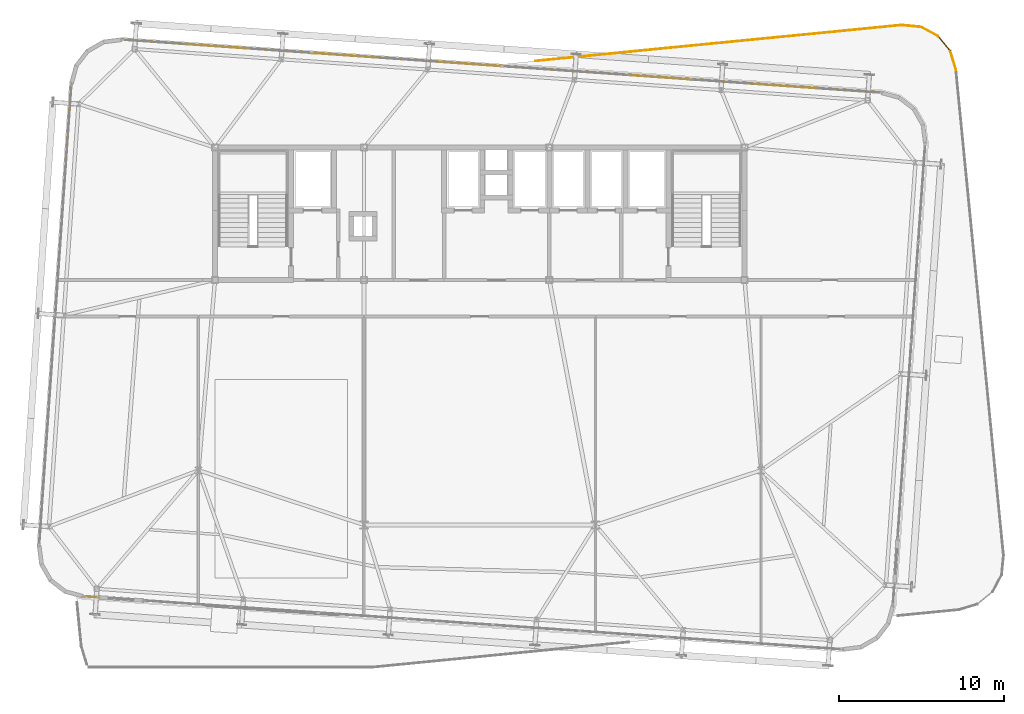
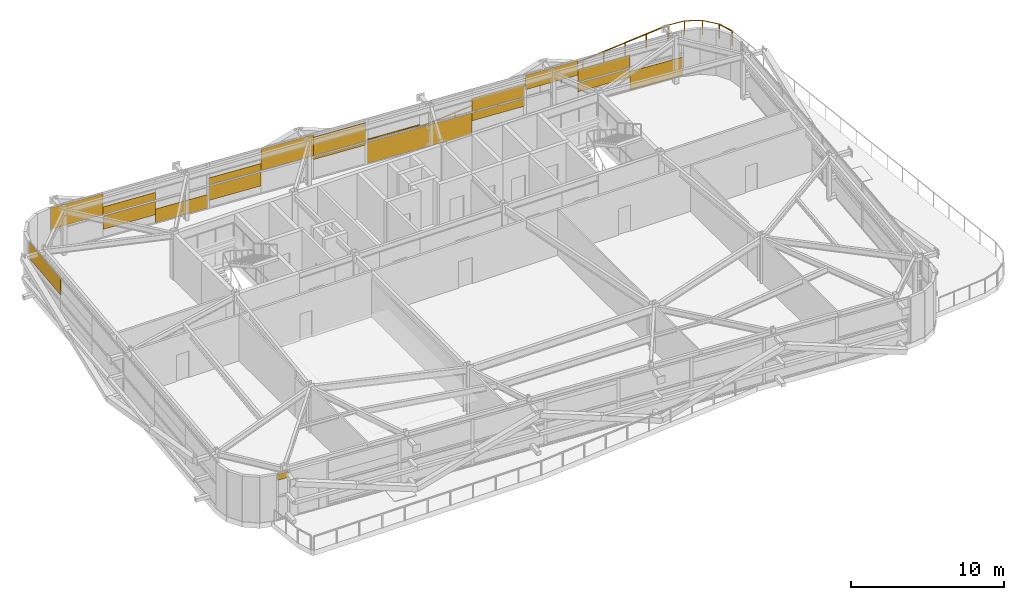
# One storey, part 36 of 36: 19 coverings, 5 railings.
"""IFC4 building model written with IfcOpenShell, lengths in metres."""

from ifc_helpers import new_model, si_unit, direction, frame, origin, origin_2d, place, context, subcontext, project, spatial, rectangle, extrude, source, transform, mapped, material, layer, layer_set, type_object, element, save


model = new_model("IFC4")

# Units and contexts
model_context = context("Model", 3, precision=1e-05, world=origin(), true_north=direction((0.0, 1.0)))
body_context = subcontext(model_context, "Body", "Model", "MODEL_VIEW")
ifc_project = project(units=[si_unit("LENGTHUNIT", "METRE"), si_unit("AREAUNIT", "SQUARE_METRE"), si_unit("VOLUMEUNIT", "CUBIC_METRE"), si_unit("PLANEANGLEUNIT", "RADIAN"), si_unit("MASSUNIT", "GRAM", prefix="KILO")], contexts=[model_context])

# Site, building, storey
site_placement = place(None, origin())
site = spatial("IfcSite", under=ifc_project, at=site_placement, CompositionType="ELEMENT")
building_placement = place(site_placement, origin())
building = spatial("IfcBuilding", under=site, at=building_placement, Name="Taldren Reach Tower", CompositionType="ELEMENT")
storey_placement = place(building_placement, frame((0.0, 0.0, 116.550048828125)))
storey = spatial("IfcBuildingStorey", under=building, at=storey_placement, Name="L35", CompositionType="ELEMENT", Elevation=116.550048828125)

# Railings
ifc_material_1 = material(Name="Laminated Glass and Pale-Anodised Aluminium Balustrade", Category="aluminium")
ifc_layer_1 = layer(ifc_material_1, 0.070068359375)
ifc_layer_set_1 = layer_set([ifc_layer_1], Name="Laminated Glass and Pale-Anodised Aluminium Balustrade")
railing_type = type_object("IfcRailingType", Name="RL-TERR-1150", PredefinedType="GUARDRAIL", material=ifc_layer_set_1)
railing_1_placement = place(storey_placement, frame((61.663330078125, 39.28955078125, 0.0)))
element("IfcRailing", 1, at=railing_1_placement, inside=storey, type_object=railing_type, Name="Outdoor terrace guardrail TERR-L35-1-01", PredefinedType="GUARDRAIL", context=body_context, shape_type="SweptSolid", body=[
    extrude(rectangle(XDim=0.047852, YDim=0.047852, at=origin_2d()), frame((0.0, 0.0, 1.1259765625), z_axis=(0.881740262419, -0.471735211351, 0.0), x_axis=(0.471735211351, 0.881740262419, 0.0)), (0.0, 0.0, 1.0), 1.170654296875),
    extrude(rectangle(XDim=0.041992, YDim=0.041992, at=origin_2d()), origin(), (0.0, 0.0, 1.0), 1.101806640625),
    extrude(rectangle(XDim=0.041992, YDim=0.041992, at=origin_2d()), frame((1.0322265625, -0.55224609375, 0.0)), (0.0, 0.0, 1.0), 1.101806640625),
])
railing_2_placement = place(storey_placement, frame((62.695556640625, 38.7373046875, 0.0)))
element("IfcRailing", 2, at=railing_2_placement, inside=storey, type_object=railing_type, Name="Outdoor terrace guardrail TERR-L35-1-02", PredefinedType="GUARDRAIL", context=body_context, shape_type="SweptSolid", body=[
    extrude(rectangle(XDim=0.047852, YDim=0.047852, at=origin_2d()), frame((0.0, 0.0, 1.1259765625), z_axis=(0.634112016054, -0.773241198524, 0.0), x_axis=(0.773241198524, 0.634112016054, 0.0)), (0.0, 0.0, 1.0), 1.17041015625),
    extrude(rectangle(XDim=0.041992, YDim=0.041992, at=origin_2d()), origin(), (0.0, 0.0, 1.0), 1.101806640625),
    extrude(rectangle(XDim=0.041992, YDim=0.041992, at=origin_2d()), frame((0.7421875, -0.905029296875, 0.0)), (0.0, 0.0, 1.0), 1.101806640625),
])
railing_3_placement = place(storey_placement, frame((63.437744140625, 37.832275390625, 0.0)))
element("IfcRailing", 3, at=railing_3_placement, inside=storey, type_object=railing_type, Name="Outdoor terrace guardrail TERR-L35-1-03", PredefinedType="GUARDRAIL", context=body_context, shape_type="SweptSolid", body=[
    extrude(rectangle(XDim=0.047852, YDim=0.047852, at=origin_2d()), frame((0.0, 0.0, 1.1259765625), z_axis=(0.289891626648, -0.957059478193, 0.0), x_axis=(0.957059478193, 0.289891626648, 0.0)), (0.0, 0.0, 1.0), 1.170654296875),
    extrude(rectangle(XDim=0.041992, YDim=0.041992, at=origin_2d()), origin(), (0.0, 0.0, 1.0), 1.101806640625),
    extrude(rectangle(XDim=0.041992, YDim=0.041992, at=origin_2d()), frame((0.33935546875, -1.120361328125, 0.0)), (0.0, 0.0, 1.0), 1.101806640625),
])
railing_4_placement = place(storey_placement, frame((38.3818359375, 37.236328125, 0.0)))
element("IfcRailing", 4, at=railing_4_placement, inside=storey, type_object=railing_type, Name="Outdoor terrace guardrail TERR-L35-1-10", PredefinedType="GUARDRAIL", context=body_context, shape_type="SweptSolid", body=[
    extrude(rectangle(XDim=0.047852, YDim=0.047852, at=origin_2d()), frame((0.0, 0.0, 1.1259765625), z_axis=(0.995227959052, 0.097577197751, 0.0), x_axis=(-0.097577197751, 0.995227959052, 0.0)), (0.0, 0.0, 1.0), 22.1728515625),
    extrude(rectangle(XDim=0.041992, YDim=0.041992, at=origin_2d()), origin(), (0.0, 0.0, 1.0), 1.101806640625),
    extrude(rectangle(XDim=0.041992, YDim=0.041992, at=origin_2d()), frame((1.697509765625, 0.16650390625, 0.0)), (0.0, 0.0, 1.0), 1.101806640625),
    extrude(rectangle(XDim=0.041992, YDim=0.041992, at=origin_2d()), frame((3.39501953125, 0.332763671875, 0.0)), (0.0, 0.0, 1.0), 1.101806640625),
    extrude(rectangle(XDim=0.041992, YDim=0.041992, at=origin_2d()), frame((5.092529296875, 0.499267578125, 0.0)), (0.0, 0.0, 1.0), 1.101806640625),
    extrude(rectangle(XDim=0.041992, YDim=0.041992, at=origin_2d()), frame((6.789794921875, 0.665771484375, 0.0)), (0.0, 0.0, 1.0), 1.101806640625),
    extrude(rectangle(XDim=0.041992, YDim=0.041992, at=origin_2d()), frame((8.4873046875, 0.83203125, 0.0)), (0.0, 0.0, 1.0), 1.101806640625),
    extrude(rectangle(XDim=0.041992, YDim=0.041992, at=origin_2d()), frame((10.184814453125, 0.99853515625, 0.0)), (0.0, 0.0, 1.0), 1.101806640625),
    extrude(rectangle(XDim=0.041992, YDim=0.041992, at=origin_2d()), frame((11.88232421875, 1.1650390625, 0.0)), (0.0, 0.0, 1.0), 1.101806640625),
    extrude(rectangle(XDim=0.041992, YDim=0.041992, at=origin_2d()), frame((13.579833984375, 1.33154296875, 0.0)), (0.0, 0.0, 1.0), 1.101806640625),
    extrude(rectangle(XDim=0.041992, YDim=0.041992, at=origin_2d()), frame((15.27734375, 1.497802734375, 0.0)), (0.0, 0.0, 1.0), 1.101806640625),
    extrude(rectangle(XDim=0.041992, YDim=0.041992, at=origin_2d()), frame((16.974609375, 1.664306640625, 0.0)), (0.0, 0.0, 1.0), 1.101806640625),
    extrude(rectangle(XDim=0.041992, YDim=0.041992, at=origin_2d()), frame((18.672119140625, 1.830810546875, 0.0)), (0.0, 0.0, 1.0), 1.101806640625),
    extrude(rectangle(XDim=0.041992, YDim=0.041992, at=origin_2d()), frame((20.36962890625, 1.9970703125, 0.0)), (0.0, 0.0, 1.0), 1.101806640625),
    extrude(rectangle(XDim=0.041992, YDim=0.041992, at=origin_2d()), frame((22.067138671875, 2.16357421875, 0.0)), (0.0, 0.0, 1.0), 1.101806640625),
])
railing_5_placement = place(storey_placement, frame((60.547607421875, 39.39990234375, 0.0)))
element("IfcRailing", 5, at=railing_5_placement, inside=storey, type_object=railing_type, Name="Outdoor terrace guardrail TERR-L35-1-11", PredefinedType="GUARDRAIL", context=body_context, shape_type="SweptSolid", body=[
    extrude(rectangle(XDim=0.047852, YDim=0.047852, at=origin_2d()), frame((0.0, 0.0, 1.1259765625), z_axis=(0.995144406215, -0.098425661184, 0.0), x_axis=(0.098425661184, 0.995144406215, 0.0)), (0.0, 0.0, 1.0), 1.12109375),
    extrude(rectangle(XDim=0.041992, YDim=0.041992, at=origin_2d()), origin(), (0.0, 0.0, 1.0), 1.101806640625),
    extrude(rectangle(XDim=0.041992, YDim=0.041992, at=origin_2d()), frame((1.11572265625, -0.1103515625, 0.0)), (0.0, 0.0, 1.0), 1.101806640625),
])

# Coverings
ifc_material_2 = material(Name="Pale Champagne Fluoropolymer Aluminium Spandrel Cladding", Category="aluminium")
ifc_layer_2 = layer(ifc_material_2, 0.0439453125)
ifc_layer_set_2 = layer_set([ifc_layer_2], Name="Pale Champagne Fluoropolymer Aluminium Spandrel Cladding")
covering_type = type_object("IfcCoveringType", Name="CV-CLAD-044", PredefinedType="CLADDING", material=ifc_layer_set_2)
shared_shape_1 = source(origin(), body_context, "Body", "SweptSolid", [
    extrude(rectangle(XDim=0.800048828125, YDim=0.0439453125, at=origin_2d()), origin(), (0.0, 0.0, 1.0), 0.46875),
])
covering_1_placement = place(storey_placement, frame((11.503662109375, 4.852294921875, 3.10107421875), z_axis=(0.0, 0.0, 1.0), x_axis=(0.997563972646, -0.069757583664, 0.0)))
element("IfcCovering", 6, at=covering_1_placement, inside=storey, type_object=covering_type, Name="Diagrid closure cladding strip CW-7 panel 1.1 1", PredefinedType="CLADDING", context=body_context, shape_type="MappedRepresentation", body=[
    mapped(shared_shape_1, transform((0.0, 0.0, 0.0), scale=1.0)),
])
shared_shape_2 = source(origin(), body_context, "Body", "SweptSolid", [
    extrude(rectangle(XDim=3.7958984375, YDim=0.0439453125, at=origin_2d()), origin(), (0.0, 0.0, 1.0), 1.46484375),
])
covering_2_placement = place(storey_placement, frame((57.302001953125, 35.4521484375, 0.059814453125), z_axis=(0.0, 0.0, 1.0), x_axis=(-0.99756404731, 0.06975651593, 0.0)))
element("IfcCovering", 7, at=covering_2_placement, inside=storey, type_object=covering_type, Name="Diagrid closure cladding strip CW-7 panel 1.1 1", PredefinedType="CLADDING", context=body_context, shape_type="MappedRepresentation", body=[
    mapped(shared_shape_2, transform((0.0, 0.0, 0.0), scale=1.0)),
])
shared_shape_3 = source(origin(), body_context, "Body", "SweptSolid", [
    extrude(rectangle(XDim=3.7958984375, YDim=0.0439453125, at=origin_2d()), origin(), (0.0, 0.0, 1.0), 0.675048828125),
])
covering_3_placement = place(storey_placement, frame((53.515380859375, 35.717041015625, 1.080078125), z_axis=(0.0, 0.0, 1.0), x_axis=(-0.99756404731, 0.06975651593, 0.0)))
element("IfcCovering", 8, at=covering_3_placement, inside=storey, type_object=covering_type, Name="Diagrid closure cladding strip CW-7 panel 1.1 2", PredefinedType="CLADDING", context=body_context, shape_type="MappedRepresentation", body=[
    mapped(shared_shape_3, transform((0.0, 0.0, 0.0), scale=1.0)),
])
shared_shape_4 = source(origin(), body_context, "Body", "SweptSolid", [
    extrude(rectangle(XDim=3.808349609375, YDim=0.0439453125, at=origin_2d()), origin(), (0.0, 0.0, 1.0), 0.62451171875),
])
covering_4_placement = place(storey_placement, frame((45.861083984375, 36.252197265625, 1.13037109375), z_axis=(0.0, 0.0, 1.0), x_axis=(-0.99756404731, 0.06975651593, 0.0)))
element("IfcCovering", 9, at=covering_4_placement, inside=storey, type_object=covering_type, Name="Diagrid closure cladding strip CW-7 panel 2.1 1", PredefinedType="CLADDING", context=body_context, shape_type="MappedRepresentation", body=[
    mapped(shared_shape_4, transform((0.0, 0.0, 0.0), scale=1.0)),
])
shared_shape_5 = source(origin(), body_context, "Body", "SweptSolid", [
    extrude(rectangle(XDim=7.61669921875, YDim=0.0439453125, at=origin_2d()), origin(), (0.0, 0.0, 1.0), 1.695068359375),
])
covering_5_placement = place(storey_placement, frame((40.16259765625, 36.650634765625, 0.06005859375), z_axis=(0.0, 0.0, 1.0), x_axis=(-0.99756404731, 0.06975651593, 0.0)))
element("IfcCovering", 10, at=covering_5_placement, inside=storey, type_object=covering_type, Name="Diagrid closure cladding strip CW-7 panel 2.1 2", PredefinedType="CLADDING", context=body_context, shape_type="MappedRepresentation", body=[
    mapped(shared_shape_5, transform((0.0, 0.0, 0.0), scale=1.0)),
])
shared_shape_6 = source(origin(), body_context, "Body", "SweptSolid", [
    extrude(rectangle(XDim=3.808349609375, YDim=0.0439453125, at=origin_2d()), origin(), (0.0, 0.0, 1.0), 0.17919921875),
])
covering_6_placement = place(storey_placement, frame((34.38916015625, 37.054443359375, 1.57568359375), z_axis=(0.0, 0.0, 1.0), x_axis=(-0.99756404731, 0.06975651593, 0.0)))
element("IfcCovering", 11, at=covering_6_placement, inside=storey, type_object=covering_type, Name="Diagrid closure cladding strip CW-7 panel 3.1 1", PredefinedType="CLADDING", context=body_context, shape_type="MappedRepresentation", body=[
    mapped(shared_shape_6, transform((0.0, 0.0, 0.0), scale=1.0)),
])
shared_shape_7 = source(origin(), body_context, "Body", "SweptSolid", [
    extrude(rectangle(XDim=3.808349609375, YDim=0.0439453125, at=origin_2d()), origin(), (0.0, 0.0, 1.0), 1.1025390625),
])
covering_7_placement = place(storey_placement, frame((26.791015625, 37.585693359375, 0.65234375), z_axis=(0.0, 0.0, 1.0), x_axis=(-0.99756404731, 0.06975651593, 0.0)))
element("IfcCovering", 12, at=covering_7_placement, inside=storey, type_object=covering_type, Name="Diagrid closure cladding strip CW-7 panel 3.1 2", PredefinedType="CLADDING", context=body_context, shape_type="MappedRepresentation", body=[
    mapped(shared_shape_7, transform((0.0, 0.0, 0.0), scale=1.0)),
])
shared_shape_8 = source(origin(), body_context, "Body", "SweptSolid", [
    extrude(rectangle(XDim=3.7958984375, YDim=0.0439453125, at=origin_2d()), origin(), (0.0, 0.0, 1.0), 1.092041015625),
])
covering_8_placement = place(storey_placement, frame((22.92333984375, 37.856201171875, 0.06005859375), z_axis=(0.0, 0.0, 1.0), x_axis=(-0.99756404731, 0.06975651593, 0.0)))
element("IfcCovering", 13, at=covering_8_placement, inside=storey, type_object=covering_type, Name="Diagrid closure cladding strip CW-7 panel 4.1 1", PredefinedType="CLADDING", context=body_context, shape_type="MappedRepresentation", body=[
    mapped(shared_shape_8, transform((0.0, 0.0, 0.0), scale=1.0)),
])
shared_shape_9 = source(origin(), body_context, "Body", "SweptSolid", [
    extrude(rectangle(XDim=3.7958984375, YDim=0.0439453125, at=origin_2d()), origin(), (0.0, 0.0, 1.0), 1.047607421875),
])
covering_9_placement = place(storey_placement, frame((19.13671875, 38.120849609375, 0.70751953125), z_axis=(0.0, 0.0, 1.0), x_axis=(-0.99756404731, 0.06975651593, 0.0)))
element("IfcCovering", 14, at=covering_9_placement, inside=storey, type_object=covering_type, Name="Diagrid closure cladding strip CW-7 panel 4.1 2", PredefinedType="CLADDING", context=body_context, shape_type="MappedRepresentation", body=[
    mapped(shared_shape_9, transform((0.0, 0.0, 0.0), scale=1.0)),
])
shared_shape_10 = source(origin(), body_context, "Body", "SweptSolid", [
    extrude(rectangle(XDim=3.7958984375, YDim=0.0439453125, at=origin_2d()), origin(), (0.0, 0.0, 1.0), 0.98779296875),
])
covering_10_placement = place(storey_placement, frame((53.515380859375, 35.717041015625, 1.875), z_axis=(0.0, 0.0, 1.0), x_axis=(-0.99756404731, 0.06975651593, 0.0)))
element("IfcCovering", 15, at=covering_10_placement, inside=storey, type_object=covering_type, Name="Diagrid closure cladding strip CW-7 panel 1.1 1", PredefinedType="CLADDING", context=body_context, shape_type="MappedRepresentation", body=[
    mapped(shared_shape_10, transform((0.0, 0.0, 0.0), scale=1.0)),
])
shared_shape_11 = source(origin(), body_context, "Body", "SweptSolid", [
    extrude(rectangle(XDim=3.7958984375, YDim=0.0439453125, at=origin_2d()), origin(), (0.0, 0.0, 1.0), 1.152099609375),
])
covering_11_placement = place(storey_placement, frame((49.728759765625, 35.981689453125, 2.41796875), z_axis=(0.0, 0.0, 1.0), x_axis=(-0.99756404731, 0.06975651593, 0.0)))
element("IfcCovering", 16, at=covering_11_placement, inside=storey, type_object=covering_type, Name="Diagrid closure cladding strip CW-7 panel 1.1 2", PredefinedType="CLADDING", context=body_context, shape_type="MappedRepresentation", body=[
    mapped(shared_shape_11, transform((0.0, 0.0, 0.0), scale=1.0)),
])
shared_shape_12 = source(origin(), body_context, "Body", "SweptSolid", [
    extrude(rectangle(XDim=3.808349609375, YDim=0.0439453125, at=origin_2d()), origin(), (0.0, 0.0, 1.0), 1.042724609375),
])
covering_12_placement = place(storey_placement, frame((45.861083984375, 36.252197265625, 1.875), z_axis=(0.0, 0.0, 1.0), x_axis=(-0.99756404731, 0.06975651593, 0.0)))
element("IfcCovering", 17, at=covering_12_placement, inside=storey, type_object=covering_type, Name="Diagrid closure cladding strip CW-7 panel 2.1 1", PredefinedType="CLADDING", context=body_context, shape_type="MappedRepresentation", body=[
    mapped(shared_shape_12, transform((0.0, 0.0, 0.0), scale=1.0)),
])
shared_shape_13 = source(origin(), body_context, "Body", "SweptSolid", [
    extrude(rectangle(XDim=3.808349609375, YDim=0.0439453125, at=origin_2d()), origin(), (0.0, 0.0, 1.0), 0.119140625),
])
covering_13_placement = place(storey_placement, frame((38.262939453125, 36.783447265625, 1.875), z_axis=(0.0, 0.0, 1.0), x_axis=(-0.99756404731, 0.06975651593, 0.0)))
element("IfcCovering", 18, at=covering_13_placement, inside=storey, type_object=covering_type, Name="Diagrid closure cladding strip CW-7 panel 2.1 2", PredefinedType="CLADDING", context=body_context, shape_type="MappedRepresentation", body=[
    mapped(shared_shape_13, transform((0.0, 0.0, 0.0), scale=1.0)),
])
shared_shape_14 = source(origin(), body_context, "Body", "SweptSolid", [
    extrude(rectangle(XDim=3.808349609375, YDim=0.0439453125, at=origin_2d()), origin(), (0.0, 0.0, 1.0), 1.488037109375),
])
covering_14_placement = place(storey_placement, frame((34.38916015625, 37.054443359375, 1.875), z_axis=(0.0, 0.0, 1.0), x_axis=(-0.99756404731, 0.06975651593, 0.0)))
element("IfcCovering", 19, at=covering_14_placement, inside=storey, type_object=covering_type, Name="Diagrid closure cladding strip CW-7 panel 3.1 1", PredefinedType="CLADDING", context=body_context, shape_type="MappedRepresentation", body=[
    mapped(shared_shape_14, transform((0.0, 0.0, 0.0), scale=1.0)),
])
shared_shape_15 = source(origin(), body_context, "Body", "SweptSolid", [
    extrude(rectangle(XDim=3.808349609375, YDim=0.0439453125, at=origin_2d()), origin(), (0.0, 0.0, 1.0), 1.695068359375),
])
covering_15_placement = place(storey_placement, frame((30.590087890625, 37.320068359375, 1.875), z_axis=(0.0, 0.0, 1.0), x_axis=(-0.99756404731, 0.06975651593, 0.0)))
element("IfcCovering", 20, at=covering_15_placement, inside=storey, type_object=covering_type, Name="Diagrid closure cladding strip CW-7 panel 3.1 2", PredefinedType="CLADDING", context=body_context, shape_type="MappedRepresentation", body=[
    mapped(shared_shape_15, transform((0.0, 0.0, 0.0), scale=1.0)),
])
shared_shape_16 = source(origin(), body_context, "Body", "SweptSolid", [
    extrude(rectangle(XDim=3.808349609375, YDim=0.0439453125, at=origin_2d()), origin(), (0.0, 0.0, 1.0), 0.564453125),
])
covering_16_placement = place(storey_placement, frame((26.791015625, 37.585693359375, 1.875), z_axis=(0.0, 0.0, 1.0), x_axis=(-0.99756404731, 0.06975651593, 0.0)))
element("IfcCovering", 21, at=covering_16_placement, inside=storey, type_object=covering_type, Name="Diagrid closure cladding strip CW-7 panel 3.1 3", PredefinedType="CLADDING", context=body_context, shape_type="MappedRepresentation", body=[
    mapped(shared_shape_16, transform((0.0, 0.0, 0.0), scale=1.0)),
])
shared_shape_17 = source(origin(), body_context, "Body", "SweptSolid", [
    extrude(rectangle(XDim=3.7958984375, YDim=0.0439453125, at=origin_2d()), origin(), (0.0, 0.0, 1.0), 0.614990234375),
])
covering_17_placement = place(storey_placement, frame((19.13671875, 38.120849609375, 1.875), z_axis=(0.0, 0.0, 1.0), x_axis=(-0.99756404731, 0.06975651593, 0.0)))
element("IfcCovering", 22, at=covering_17_placement, inside=storey, type_object=covering_type, Name="Diagrid closure cladding strip CW-7 panel 4.1 1", PredefinedType="CLADDING", context=body_context, shape_type="MappedRepresentation", body=[
    mapped(shared_shape_17, transform((0.0, 0.0, 0.0), scale=1.0)),
])
shared_shape_18 = source(origin(), body_context, "Body", "SweptSolid", [
    extrude(rectangle(XDim=3.7958984375, YDim=0.0439453125, at=origin_2d()), origin(), (0.0, 0.0, 1.0), 1.695068359375),
])
covering_18_placement = place(storey_placement, frame((15.350341796875, 38.3857421875, 1.875), z_axis=(0.0, 0.0, 1.0), x_axis=(-0.99756404731, 0.06975651593, 0.0)))
element("IfcCovering", 23, at=covering_18_placement, inside=storey, type_object=covering_type, Name="Diagrid closure cladding strip CW-7 panel 4.1 2", PredefinedType="CLADDING", context=body_context, shape_type="MappedRepresentation", body=[
    mapped(shared_shape_18, transform((0.0, 0.0, 0.0), scale=1.0)),
])
shared_shape_19 = source(origin(), body_context, "Body", "SweptSolid", [
    extrude(rectangle(XDim=4.629150390625, YDim=0.0439453125, at=origin_2d()), origin(), (0.0, 0.0, 1.0), 1.29296875),
])
covering_19_placement = place(storey_placement, frame((10.162841796875, 33.486083984375, 2.277099609375), z_axis=(0.0, 0.0, 1.0), x_axis=(-0.069756437251, -0.997564052812, 0.0)))
element("IfcCovering", 24, at=covering_19_placement, inside=storey, type_object=covering_type, Name="Diagrid closure cladding strip CW-7 panel 1.1 1", PredefinedType="CLADDING", context=body_context, shape_type="MappedRepresentation", body=[
    mapped(shared_shape_19, transform((0.0, 0.0, 0.0), scale=1.0)),
])

save(model, "model.ifc")
